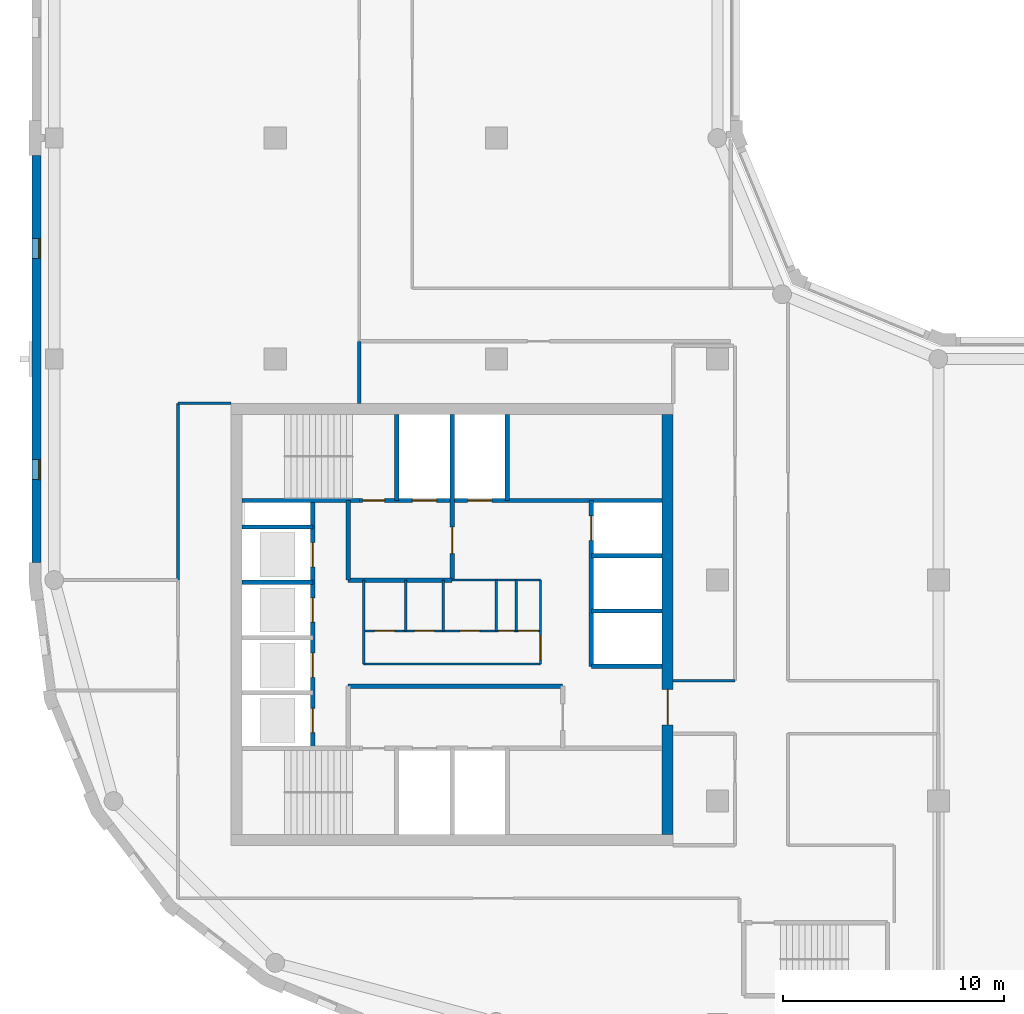
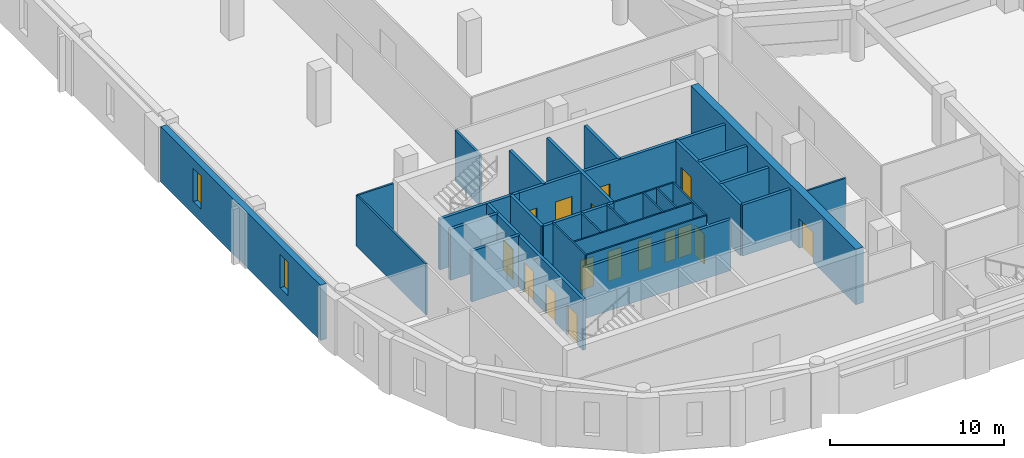
# One storey, part 3 of 8: 30 walls, 16 doors, 2 windows, 18 openings.
"""IFC4 building model written with IfcOpenShell, lengths in metres."""

from ifc_helpers import new_model, si_unit, direction, frame, frame_2d, origin, place, context, subcontext, project, spatial, rectangle, extrude, material, layer, layer_set, type_object, element, fill, save


model = new_model("IFC4")

# Units and contexts
model_context = context("Model", 3, precision=1e-05, world=origin(), true_north=direction((0.0, 1.0)))
body_context = subcontext(model_context, "Body", "Model", "MODEL_VIEW")
ifc_project = project(units=[si_unit("LENGTHUNIT", "METRE"), si_unit("AREAUNIT", "SQUARE_METRE"), si_unit("VOLUMEUNIT", "CUBIC_METRE"), si_unit("PLANEANGLEUNIT", "RADIAN"), si_unit("MASSUNIT", "GRAM", prefix="KILO")], contexts=[model_context])

# Site, building, storey
site_placement = place(None, origin())
site = spatial("IfcSite", under=ifc_project, at=site_placement, CompositionType="ELEMENT")
building_placement = place(site_placement, origin())
building = spatial("IfcBuilding", under=site, at=building_placement, Name="Qaws Garden Tower", CompositionType="ELEMENT")
storey_placement = place(building_placement, frame((0.0, 0.0, 274.800048828125)))
storey = spatial("IfcBuildingStorey", under=building, at=storey_placement, Name="L66", CompositionType="ELEMENT", Elevation=274.800048828125)

# Wall, openings, windows
ifc_material_1 = material(Name="Buff clay facing brick masonry", Category="masonry")
ifc_layer_1 = layer(ifc_material_1, 0.39990234375)
ifc_layer_set_1 = layer_set([ifc_layer_1], Name="Buff clay facing brick masonry")
wall_type_1 = type_object("IfcWallType", Name="Buff brick infill wall 400", PredefinedType="SOLIDWALL", material=ifc_layer_set_1)
wall_1_placement = place(storey_placement, frame((-0.800048828125, 39.199951171875, 0.0), z_axis=(0.0, 0.0, 1.0), x_axis=(0.0, -1.0, 0.0)))
wall_1 = element("IfcWall", 1, at=wall_1_placement, inside=storey, type_object=wall_type_1, Name="E-L66-infill-21", PredefinedType="SOLIDWALL", context=body_context, shape_type="SweptSolid", body=[
    extrude(rectangle(XDim=18.39990234375, YDim=0.39990234375, at=frame_2d((9.199951171875, 0.0))), origin(), (0.0, 0.0, 1.0), 3.89990234375),
])
opening_1_placement = place(wall_1_placement, frame((3.75, 0.0, 0.89990234375)))
opening_1 = element("IfcOpeningElement", 2, at=opening_1_placement, cuts=wall_1, Name="Opening W09", PredefinedType="OPENING", context=body_context, shape_type="SweptSolid", body=[
    extrude(rectangle(XDim=0.89990234375, YDim=2.35009765625, at=frame_2d((0.449951171875, 1.175048828125))), frame((0.0, 0.2099609375, 0.0), z_axis=(0.0, -1.0, 0.0), x_axis=(1.0, 0.0, 0.0)), (0.0, 0.0, 1.0), 0.419921875),
])
opening_2_placement = place(wall_1_placement, frame((13.75, 0.0, 0.89990234375)))
opening_2 = element("IfcOpeningElement", 3, at=opening_2_placement, cuts=wall_1, Name="Opening W09", PredefinedType="OPENING", context=body_context, shape_type="SweptSolid", body=[
    extrude(rectangle(XDim=0.89990234375, YDim=2.35009765625, at=frame_2d((0.449951171875, 1.175048828125))), frame((0.0, 0.2099609375, 0.0), z_axis=(0.0, -1.0, 0.0), x_axis=(1.0, 0.0, 0.0)), (0.0, 0.0, 1.0), 0.419921875),
])
ifc_material_2 = material(Name="Aluminium framed window, clear glazing", Category="aluminium")
window_type = type_object("IfcWindowType", Name="Slit window 900 x 2350", PartitioningType="SINGLE_PANEL", PredefinedType="WINDOW", material=ifc_material_2)
window_1_placement = place(opening_1_placement, origin())
window_1 = element("IfcWindow", 4, at=window_1_placement, inside=storey, type_object=window_type, Name="E-L66-window-21-0", OverallHeight=2.35009765625, OverallWidth=0.89990234375, PartitioningType="SINGLE_PANEL", PredefinedType="WINDOW", context=body_context, shape_type="SweptSolid", body=[
    extrude(rectangle(XDim=0.89990234375, YDim=2.35009765625, at=frame_2d((0.449951171875, 1.175048828125))), frame((0.0, 0.159912109375, 0.0), z_axis=(0.0, -1.0, 0.0), x_axis=(1.0, 0.0, 0.0)), (0.0, 0.0, 1.0), 0.06005859375),
])
fill(opening_1, window_1)
window_2_placement = place(opening_2_placement, origin())
window_2 = element("IfcWindow", 5, at=window_2_placement, inside=storey, type_object=window_type, Name="E-L66-window-22-0", OverallHeight=2.35009765625, OverallWidth=0.89990234375, PartitioningType="SINGLE_PANEL", PredefinedType="WINDOW", context=body_context, shape_type="SweptSolid", body=[
    extrude(rectangle(XDim=0.89990234375, YDim=2.35009765625, at=frame_2d((0.449951171875, 1.175048828125))), frame((0.0, 0.159912109375, 0.0), z_axis=(0.0, -1.0, 0.0), x_axis=(1.0, 0.0, 0.0)), (0.0, 0.0, 1.0), 0.06005859375),
])
fill(opening_2, window_2)

# Wall
ifc_material_3 = material(Name="Plasterboard")
ifc_layer_2 = layer(ifc_material_3, 0.10009765625)
ifc_layer_set_2 = layer_set([ifc_layer_2], Name="Plasterboard")
wall_type_2 = type_object("IfcWallType", Name="Core partition 100", PredefinedType="PARTITIONING", material=ifc_layer_set_2)
wall_2_placement = place(storey_placement, frame((14.0, 16.199951171875, 0.0), z_axis=(0.0, 0.0, 1.0), x_axis=(1.0, 0.0, 0.0)))
element("IfcWall", 6, at=wall_2_placement, inside=storey, type_object=wall_type_2, Name="Core partition", PredefinedType="PARTITIONING", context=body_context, shape_type="SweptSolid", body=[
    extrude(rectangle(XDim=8.0, YDim=0.10009765625, at=frame_2d((4.0, 0.0))), origin(), (0.0, 0.0, 1.0), 3.579833984375),
])

# Wall, openings, doors
wall_3_placement = place(storey_placement, frame((14.0, 17.699951171875, 0.0), z_axis=(0.0, 0.0, 1.0), x_axis=(1.0, 0.0, 0.0)))
wall_3 = element("IfcWall", 7, at=wall_3_placement, inside=storey, type_object=wall_type_2, Name="Core partition", PredefinedType="PARTITIONING", context=body_context, shape_type="SweptSolid", body=[
    extrude(rectangle(XDim=8.0, YDim=0.10009765625, at=frame_2d((4.0, 0.0))), origin(), (0.0, 0.0, 1.0), 3.579833984375),
])
opening_3_placement = place(wall_3_placement, frame((0.5, 0.0, 0.0)))
opening_3 = element("IfcOpeningElement", 8, at=opening_3_placement, cuts=wall_3, Name="Opening WD18", PredefinedType="OPENING", context=body_context, shape_type="SweptSolid", body=[
    extrude(rectangle(XDim=0.89990234375, YDim=2.10009765625, at=frame_2d((0.449951171875, 1.050048828125))), frame((0.0, 0.06005859375, 0.0), z_axis=(0.0, -1.0, 0.0), x_axis=(1.0, 0.0, 0.0)), (0.0, 0.0, 1.0), 0.1201171875),
])
opening_4_placement = place(wall_3_placement, frame((2.300048828125, 0.0, 0.0)))
opening_4 = element("IfcOpeningElement", 9, at=opening_4_placement, cuts=wall_3, Name="Opening WD19", PredefinedType="OPENING", context=body_context, shape_type="SweptSolid", body=[
    extrude(rectangle(XDim=0.89990234375, YDim=2.10009765625, at=frame_2d((0.449951171875, 1.050048828125))), frame((0.0, 0.06005859375, 0.0), z_axis=(0.0, -1.0, 0.0), x_axis=(1.0, 0.0, 0.0)), (0.0, 0.0, 1.0), 0.1201171875),
])
opening_5_placement = place(wall_3_placement, frame((4.35009765625, 0.0, 0.0)))
opening_5 = element("IfcOpeningElement", 10, at=opening_5_placement, cuts=wall_3, Name="Opening WD20", PredefinedType="OPENING", context=body_context, shape_type="SweptSolid", body=[
    extrude(rectangle(XDim=0.89990234375, YDim=2.10009765625, at=frame_2d((0.449951171875, 1.050048828125))), frame((0.0, 0.06005859375, 0.0), z_axis=(0.0, -1.0, 0.0), x_axis=(1.0, 0.0, 0.0)), (0.0, 0.0, 1.0), 0.1201171875),
])
opening_6_placement = place(wall_3_placement, frame((6.10009765625, 0.0, 0.0)))
opening_6 = element("IfcOpeningElement", 11, at=opening_6_placement, cuts=wall_3, Name="Opening XD21", PredefinedType="OPENING", context=body_context, shape_type="SweptSolid", body=[
    extrude(rectangle(XDim=0.699951171875, YDim=2.10009765625, at=frame_2d((0.35009765625, 1.050048828125))), frame((0.0, 0.06005859375, 0.0), z_axis=(0.0, -1.0, 0.0), x_axis=(1.0, 0.0, 0.0)), (0.0, 0.0, 1.0), 0.1201171875),
])
opening_7_placement = place(wall_3_placement, frame((7.0, 0.0, 0.0)))
opening_7 = element("IfcOpeningElement", 12, at=opening_7_placement, cuts=wall_3, Name="Opening WD22", PredefinedType="OPENING", context=body_context, shape_type="SweptSolid", body=[
    extrude(rectangle(XDim=0.89990234375, YDim=2.10009765625, at=frame_2d((0.449951171875, 1.050048828125))), frame((0.0, 0.06005859375, 0.0), z_axis=(0.0, -1.0, 0.0), x_axis=(1.0, 0.0, 0.0)), (0.0, 0.0, 1.0), 0.1201171875),
])
ifc_material_4 = material(Name="Timber", Category="wood")
door_type_1 = type_object("IfcDoorType", Name="Store door 700x2100", OperationType="SINGLE_SWING_LEFT", PredefinedType="DOOR", material=ifc_material_4)
door_1_placement = place(opening_6_placement, origin())
door_1 = element("IfcDoor", 13, at=door_1_placement, inside=storey, type_object=door_type_1, Name="Cleaner's store door", OperationType="SINGLE_SWING_RIGHT", OverallHeight=2.10009765625, OverallWidth=0.699951171875, PredefinedType="DOOR", context=body_context, shape_type="SweptSolid", body=[
    extrude(rectangle(XDim=0.699951171875, YDim=2.10009765625, at=frame_2d((0.35009765625, 1.050048828125))), frame((0.0, 0.02490234375, 0.0), z_axis=(0.0, -1.0, 0.0), x_axis=(1.0, 0.0, 0.0)), (0.0, 0.0, 1.0), 0.050048828125),
])
fill(opening_6, door_1)
ifc_material_5 = material(Name="Timber", Category="wood")
door_type_2 = type_object("IfcDoorType", Name="WC door 900x2100", OperationType="SINGLE_SWING_LEFT", PredefinedType="DOOR", material=ifc_material_5)
door_2_placement = place(opening_3_placement, origin())
door_2 = element("IfcDoor", 14, at=door_2_placement, inside=storey, type_object=door_type_2, Name="Men's WC door", OperationType="SINGLE_SWING_RIGHT", OverallHeight=2.10009765625, OverallWidth=0.89990234375, PredefinedType="DOOR", context=body_context, shape_type="SweptSolid", body=[
    extrude(rectangle(XDim=0.89990234375, YDim=2.10009765625, at=frame_2d((0.449951171875, 1.050048828125))), frame((0.0, 0.02490234375, 0.0), z_axis=(0.0, -1.0, 0.0), x_axis=(1.0, 0.0, 0.0)), (0.0, 0.0, 1.0), 0.050048828125),
])
fill(opening_3, door_2)
door_3_placement = place(opening_4_placement, origin())
door_3 = element("IfcDoor", 15, at=door_3_placement, inside=storey, type_object=door_type_2, Name="Accessible WC door", OperationType="SINGLE_SWING_RIGHT", OverallHeight=2.10009765625, OverallWidth=0.89990234375, PredefinedType="DOOR", context=body_context, shape_type="SweptSolid", body=[
    extrude(rectangle(XDim=0.89990234375, YDim=2.10009765625, at=frame_2d((0.449951171875, 1.050048828125))), frame((0.0, 0.02490234375, 0.0), z_axis=(0.0, -1.0, 0.0), x_axis=(1.0, 0.0, 0.0)), (0.0, 0.0, 1.0), 0.050048828125),
])
fill(opening_4, door_3)
door_4_placement = place(opening_5_placement, origin())
door_4 = element("IfcDoor", 16, at=door_4_placement, inside=storey, type_object=door_type_2, Name="Women's WC door", OperationType="SINGLE_SWING_RIGHT", OverallHeight=2.10009765625, OverallWidth=0.89990234375, PredefinedType="DOOR", context=body_context, shape_type="SweptSolid", body=[
    extrude(rectangle(XDim=0.89990234375, YDim=2.10009765625, at=frame_2d((0.449951171875, 1.050048828125))), frame((0.0, 0.02490234375, 0.0), z_axis=(0.0, -1.0, 0.0), x_axis=(1.0, 0.0, 0.0)), (0.0, 0.0, 1.0), 0.050048828125),
])
fill(opening_5, door_4)
door_5_placement = place(opening_7_placement, origin())
door_5 = element("IfcDoor", 17, at=door_5_placement, inside=storey, type_object=door_type_2, Name="Linen store door", OperationType="SINGLE_SWING_RIGHT", OverallHeight=2.10009765625, OverallWidth=0.89990234375, PredefinedType="DOOR", context=body_context, shape_type="SweptSolid", body=[
    extrude(rectangle(XDim=0.89990234375, YDim=2.10009765625, at=frame_2d((0.449951171875, 1.050048828125))), frame((0.0, 0.02490234375, 0.0), z_axis=(0.0, -1.0, 0.0), x_axis=(1.0, 0.0, 0.0)), (0.0, 0.0, 1.0), 0.050048828125),
])
fill(opening_7, door_5)

# Walls
wall_4_placement = place(storey_placement, frame((18.0, 20.0, 0.0), z_axis=(0.0, 0.0, 1.0), x_axis=(1.0, 0.0, 0.0)))
element("IfcWall", 18, at=wall_4_placement, inside=storey, type_object=wall_type_2, Name="Core partition", PredefinedType="PARTITIONING", context=body_context, shape_type="SweptSolid", body=[
    extrude(rectangle(XDim=4.0, YDim=0.10009765625, at=frame_2d((2.0, 0.0))), origin(), (0.0, 0.0, 1.0), 3.579833984375),
])
wall_5_placement = place(storey_placement, frame((14.0, 16.199951171875, 0.0), z_axis=(0.0, 0.0, 1.0), x_axis=(0.0, 1.0, 0.0)))
element("IfcWall", 19, at=wall_5_placement, inside=storey, type_object=wall_type_2, Name="Core partition", PredefinedType="PARTITIONING", context=body_context, shape_type="SweptSolid", body=[
    extrude(rectangle(XDim=3.800048828125, YDim=0.10009765625, at=frame_2d((1.89990234375, 0.0))), origin(), (0.0, 0.0, 1.0), 3.579833984375),
])
for number, where, z_axis, x_axis, name in (
    (20, (15.89990234375, 17.699951171875, 0.0), (0.0, 0.0, 1.0), (0.0, 1.0, 0.0), "Core partition"),
    (21, (17.60009765625, 17.699951171875, 0.0), (0.0, 0.0, 1.0), (0.0, 1.0, 0.0), "Core partition"),
    (22, (20.0, 17.699951171875, 0.0), (0.0, 0.0, 1.0), (0.0, 1.0, 0.0), "Core partition"),
    (23, (20.89990234375, 17.699951171875, 0.0), (0.0, 0.0, 1.0), (0.0, 1.0, 0.0), "Core partition"),
):
    element("IfcWall", number, at=place(storey_placement, frame(where, z_axis=z_axis, x_axis=x_axis)), inside=storey, type_object=wall_type_2, Name=name, PredefinedType="PARTITIONING", context=body_context, shape_type="SweptSolid", body=[
        extrude(rectangle(XDim=2.300048828125, YDim=0.10009765625, at=frame_2d((1.14990234375, 0.0))), origin(), (0.0, 0.0, 1.0), 3.579833984375),
    ])

# Wall, opening, door
wall_6_placement = place(storey_placement, frame((22.0, 16.199951171875, 0.0), z_axis=(0.0, 0.0, 1.0), x_axis=(0.0, 1.0, 0.0)))
wall_6 = element("IfcWall", 24, at=wall_6_placement, inside=storey, type_object=wall_type_2, Name="Core partition", PredefinedType="PARTITIONING", context=body_context, shape_type="SweptSolid", body=[
    extrude(rectangle(XDim=3.800048828125, YDim=0.10009765625, at=frame_2d((1.89990234375, 0.0))), origin(), (0.0, 0.0, 1.0), 3.579833984375),
])
opening_8_placement = place(wall_6_placement, frame((0.199951171875, 0.0, 0.0)))
opening_8 = element("IfcOpeningElement", 25, at=opening_8_placement, cuts=wall_6, Name="Opening WL17", PredefinedType="OPENING", context=body_context, shape_type="SweptSolid", body=[
    extrude(rectangle(XDim=1.10009765625, YDim=2.10009765625, at=frame_2d((0.550048828125, 1.050048828125))), frame((0.0, 0.06005859375, 0.0), z_axis=(0.0, -1.0, 0.0), x_axis=(1.0, 0.0, 0.0)), (0.0, 0.0, 1.0), 0.1201171875),
])
ifc_material_6 = material(Name="Timber", Category="wood")
door_type_3 = type_object("IfcDoorType", Name="WC lobby door 1100x2100", OperationType="SINGLE_SWING_LEFT", PredefinedType="DOOR", material=ifc_material_6)
door_6_placement = place(opening_8_placement, origin())
door_6 = element("IfcDoor", 26, at=door_6_placement, inside=storey, type_object=door_type_3, Name="WC lobby door", OperationType="SINGLE_SWING_RIGHT", OverallHeight=2.10009765625, OverallWidth=1.10009765625, PredefinedType="DOOR", context=body_context, shape_type="SweptSolid", body=[
    extrude(rectangle(XDim=1.10009765625, YDim=2.10009765625, at=frame_2d((0.550048828125, 1.050048828125))), frame((0.0, 0.02490234375, 0.0), z_axis=(0.0, -1.0, 0.0), x_axis=(1.0, 0.0, 0.0)), (0.0, 0.0, 1.0), 0.050048828125),
])
fill(opening_8, door_6)

# Walls
ifc_material_7 = material(Name="Concrete C60", Category="concrete")
ifc_layer_3 = layer(ifc_material_7, 0.199951171875)
ifc_layer_set_3 = layer_set([ifc_layer_3], Name="Concrete C60")
wall_type_3 = type_object("IfcWallType", Name="Core shaft wall 200 C60", PredefinedType="SHEAR", material=ifc_layer_set_3)
wall_7_placement = place(storey_placement, frame((13.300048828125, 15.199951171875, 0.0), z_axis=(0.0, 0.0, 1.0), x_axis=(1.0, 0.0, 0.0)))
element("IfcWall", 27, at=wall_7_placement, inside=storey, type_object=wall_type_3, Name="Shaft wall", PredefinedType="SHEAR", context=body_context, shape_type="SweptSolid", body=[
    extrude(rectangle(XDim=9.699951171875, YDim=0.199951171875, at=frame_2d((4.85009765625, 0.0))), origin(), (0.0, 0.0, 1.0), 3.579833984375),
])
for number, where, z_axis, x_axis, name in (
    (28, (24.300048828125, 16.10009765625, 0.0), (0.0, 0.0, 1.0), (1.0, 0.0, 0.0), "Shaft wall"),
    (29, (24.300048828125, 18.60009765625, 0.0), (0.0, 0.0, 1.0), (1.0, 0.0, 0.0), "Shaft wall"),
    (30, (8.5, 19.89990234375, 0.0), (0.0, 0.0, 1.0), (1.0, 0.0, 0.0), "Shaft wall"),
):
    element("IfcWall", number, at=place(storey_placement, frame(where, z_axis=z_axis, x_axis=x_axis)), inside=storey, type_object=wall_type_3, Name=name, PredefinedType="SHEAR", context=body_context, shape_type="SweptSolid", body=[
        extrude(rectangle(XDim=3.199951171875, YDim=0.199951171875, at=frame_2d((1.60009765625, 0.0))), origin(), (0.0, 0.0, 1.0), 3.579833984375),
    ])
wall_8_placement = place(storey_placement, frame((13.300048828125, 20.0, 0.0), z_axis=(0.0, 0.0, 1.0), x_axis=(1.0, 0.0, 0.0)))
element("IfcWall", 31, at=wall_8_placement, inside=storey, type_object=wall_type_3, Name="Shaft wall", PredefinedType="SHEAR", context=body_context, shape_type="SweptSolid", body=[
    extrude(rectangle(XDim=4.699951171875, YDim=0.199951171875, at=frame_2d((2.35009765625, 0.0))), origin(), (0.0, 0.0, 1.0), 3.579833984375),
])
for number, where, z_axis, x_axis, name in (
    (32, (24.300048828125, 21.10009765625, 0.0), (0.0, 0.0, 1.0), (1.0, 0.0, 0.0), "Shaft wall"),
    (33, (8.5, 22.39990234375, 0.0), (0.0, 0.0, 1.0), (1.0, 0.0, 0.0), "Shaft wall"),
):
    element("IfcWall", number, at=place(storey_placement, frame(where, z_axis=z_axis, x_axis=x_axis)), inside=storey, type_object=wall_type_3, Name=name, PredefinedType="SHEAR", context=body_context, shape_type="SweptSolid", body=[
        extrude(rectangle(XDim=3.199951171875, YDim=0.199951171875, at=frame_2d((1.60009765625, 0.0))), origin(), (0.0, 0.0, 1.0), 3.579833984375),
    ])
wall_9_placement = place(storey_placement, frame((8.5, 23.60009765625, 0.0), z_axis=(0.0, 0.0, 1.0), x_axis=(1.0, 0.0, 0.0)))
element("IfcWall", 34, at=wall_9_placement, inside=storey, type_object=wall_type_3, Name="Shaft wall", PredefinedType="SHEAR", context=body_context, shape_type="SweptSolid", body=[
    extrude(rectangle(XDim=5.300048828125, YDim=0.199951171875, at=frame_2d((2.64990234375, 0.0))), origin(), (0.0, 0.0, 1.0), 3.579833984375),
])

# Wall, openings, doors
wall_10_placement = place(storey_placement, frame((13.800048828125, 23.60009765625, 0.0), z_axis=(0.0, 0.0, 1.0), x_axis=(1.0, 0.0, 0.0)))
wall_10 = element("IfcWall", 35, at=wall_10_placement, inside=storey, type_object=wall_type_3, Name="Shaft wall", PredefinedType="SHEAR", context=body_context, shape_type="SweptSolid", body=[
    extrude(rectangle(XDim=13.699951171875, YDim=0.199951171875, at=frame_2d((6.85009765625, 0.0))), origin(), (0.0, 0.0, 1.0), 3.579833984375),
])
opening_9_placement = place(wall_10_placement, frame((2.39990234375, 0.0, 0.0)))
opening_9 = element("IfcOpeningElement", 36, at=opening_9_placement, cuts=wall_10, Name="Opening LD08", PredefinedType="OPENING", context=body_context, shape_type="SweptSolid", body=[
    extrude(rectangle(XDim=1.10009765625, YDim=2.10009765625, at=frame_2d((0.550048828125, 1.050048828125))), frame((0.0, 0.10986328125, 0.0), z_axis=(0.0, -1.0, 0.0), x_axis=(1.0, 0.0, 0.0)), (0.0, 0.0, 1.0), 0.219970703125),
])
opening_10_placement = place(wall_10_placement, frame((4.89990234375, 0.0, 0.0)))
opening_10 = element("IfcOpeningElement", 37, at=opening_10_placement, cuts=wall_10, Name="Opening LD09", PredefinedType="OPENING", context=body_context, shape_type="SweptSolid", body=[
    extrude(rectangle(XDim=1.10009765625, YDim=2.10009765625, at=frame_2d((0.550048828125, 1.050048828125))), frame((0.0, 0.10986328125, 0.0), z_axis=(0.0, -1.0, 0.0), x_axis=(1.0, 0.0, 0.0)), (0.0, 0.0, 1.0), 0.219970703125),
])
opening_11_placement = place(wall_10_placement, frame((0.14990234375, 0.0, 0.0)))
opening_11 = element("IfcOpeningElement", 38, at=opening_11_placement, cuts=wall_10, Name="Opening SD11", PredefinedType="OPENING", context=body_context, shape_type="SweptSolid", body=[
    extrude(rectangle(XDim=1.0, YDim=2.10009765625, at=frame_2d((0.5, 1.050048828125))), frame((0.0, 0.10986328125, 0.0), z_axis=(0.0, -1.0, 0.0), x_axis=(1.0, 0.0, 0.0)), (0.0, 0.0, 1.0), 0.219970703125),
])
ifc_material_8 = material(Name="Steel S235", Category="steel")
door_type_4 = type_object("IfcDoorType", Name="Landing door 1100x2100", OperationType="DOUBLE_DOOR_SLIDING", PredefinedType="DOOR", material=ifc_material_8)
door_7_placement = place(opening_9_placement, origin())
door_7 = element("IfcDoor", 39, at=door_7_placement, inside=storey, type_object=door_type_4, Name="Lift FF3 landing door", OperationType="DOUBLE_DOOR_SLIDING", OverallHeight=2.10009765625, OverallWidth=1.10009765625, PredefinedType="DOOR", context=body_context, shape_type="SweptSolid", body=[
    extrude(rectangle(XDim=1.10009765625, YDim=2.10009765625, at=frame_2d((0.550048828125, 1.050048828125))), frame((0.0, 0.02490234375, 0.0), z_axis=(0.0, -1.0, 0.0), x_axis=(1.0, 0.0, 0.0)), (0.0, 0.0, 1.0), 0.050048828125),
])
fill(opening_9, door_7)
door_8_placement = place(opening_10_placement, origin())
door_8 = element("IfcDoor", 40, at=door_8_placement, inside=storey, type_object=door_type_4, Name="Lift SV2 landing door", OperationType="DOUBLE_DOOR_SLIDING", OverallHeight=2.10009765625, OverallWidth=1.10009765625, PredefinedType="DOOR", context=body_context, shape_type="SweptSolid", body=[
    extrude(rectangle(XDim=1.10009765625, YDim=2.10009765625, at=frame_2d((0.550048828125, 1.050048828125))), frame((0.0, 0.02490234375, 0.0), z_axis=(0.0, -1.0, 0.0), x_axis=(1.0, 0.0, 0.0)), (0.0, 0.0, 1.0), 0.050048828125),
])
fill(opening_10, door_8)
ifc_material_9 = material(Name="Steel S235", Category="steel")
door_type_5 = type_object("IfcDoorType", Name="Stair door 1000x2100", OperationType="SINGLE_SWING_RIGHT", PredefinedType="DOOR", material=ifc_material_9)
door_9_placement = place(opening_11_placement, origin())
door_9 = element("IfcDoor", 41, at=door_9_placement, inside=storey, type_object=door_type_5, Name="Stair 4 door", OperationType="SINGLE_SWING_RIGHT", OverallHeight=2.10009765625, OverallWidth=1.0, PredefinedType="DOOR", context=body_context, shape_type="SweptSolid", body=[
    extrude(rectangle(XDim=1.0, YDim=2.10009765625, at=frame_2d((0.5, 1.050048828125))), frame((0.0, 0.02490234375, 0.0), z_axis=(0.0, -1.0, 0.0), x_axis=(1.0, 0.0, 0.0)), (0.0, 0.0, 1.0), 0.050048828125),
])
fill(opening_11, door_9)

wall_11_placement = place(storey_placement, frame((11.699951171875, 12.39990234375, 0.0), z_axis=(0.0, 0.0, 1.0), x_axis=(0.0, 1.0, 0.0)))
wall_11 = element("IfcWall", 42, at=wall_11_placement, inside=storey, type_object=wall_type_3, Name="Shaft wall", PredefinedType="SHEAR", context=body_context, shape_type="SweptSolid", body=[
    extrude(rectangle(XDim=11.2001953125, YDim=0.199951171875, at=frame_2d((5.60009765625, 0.0))), origin(), (0.0, 0.0, 1.0), 3.579833984375),
])
opening_12_placement = place(wall_11_placement, frame((0.699951171875, 0.0, 0.0)))
opening_12 = element("IfcOpeningElement", 43, at=opening_12_placement, cuts=wall_11, Name="Opening LD01", PredefinedType="OPENING", context=body_context, shape_type="SweptSolid", body=[
    extrude(rectangle(XDim=1.10009765625, YDim=2.10009765625, at=frame_2d((0.550048828125, 1.050048828125))), frame((0.0, 0.10986328125, 0.0), z_axis=(0.0, -1.0, 0.0), x_axis=(1.0, 0.0, 0.0)), (0.0, 0.0, 1.0), 0.219970703125),
])
opening_13_placement = place(wall_11_placement, frame((3.199951171875, 0.0, 0.0)))
opening_13 = element("IfcOpeningElement", 44, at=opening_13_placement, cuts=wall_11, Name="Opening LD02", PredefinedType="OPENING", context=body_context, shape_type="SweptSolid", body=[
    extrude(rectangle(XDim=1.10009765625, YDim=2.10009765625, at=frame_2d((0.550048828125, 1.050048828125))), frame((0.0, 0.10986328125, 0.0), z_axis=(0.0, -1.0, 0.0), x_axis=(1.0, 0.0, 0.0)), (0.0, 0.0, 1.0), 0.219970703125),
])
opening_14_placement = place(wall_11_placement, frame((5.699951171875, 0.0, 0.0)))
opening_14 = element("IfcOpeningElement", 45, at=opening_14_placement, cuts=wall_11, Name="Opening LD03", PredefinedType="OPENING", context=body_context, shape_type="SweptSolid", body=[
    extrude(rectangle(XDim=1.10009765625, YDim=2.10009765625, at=frame_2d((0.550048828125, 1.050048828125))), frame((0.0, 0.10986328125, 0.0), z_axis=(0.0, -1.0, 0.0), x_axis=(1.0, 0.0, 0.0)), (0.0, 0.0, 1.0), 0.219970703125),
])
opening_15_placement = place(wall_11_placement, frame((8.199951171875, 0.0, 0.0)))
opening_15 = element("IfcOpeningElement", 46, at=opening_15_placement, cuts=wall_11, Name="Opening LD04", PredefinedType="OPENING", context=body_context, shape_type="SweptSolid", body=[
    extrude(rectangle(XDim=1.10009765625, YDim=2.10009765625, at=frame_2d((0.550048828125, 1.050048828125))), frame((0.0, 0.10986328125, 0.0), z_axis=(0.0, -1.0, 0.0), x_axis=(1.0, 0.0, 0.0)), (0.0, 0.0, 1.0), 0.219970703125),
])
door_10_placement = place(opening_12_placement, origin())
door_10 = element("IfcDoor", 47, at=door_10_placement, inside=storey, type_object=door_type_4, Name="Lift W1 landing door", OperationType="DOUBLE_DOOR_SLIDING", OverallHeight=2.10009765625, OverallWidth=1.10009765625, PredefinedType="DOOR", context=body_context, shape_type="SweptSolid", body=[
    extrude(rectangle(XDim=1.10009765625, YDim=2.10009765625, at=frame_2d((0.550048828125, 1.050048828125))), frame((0.0, 0.02490234375, 0.0), z_axis=(0.0, -1.0, 0.0), x_axis=(1.0, 0.0, 0.0)), (0.0, 0.0, 1.0), 0.050048828125),
])
fill(opening_12, door_10)
door_11_placement = place(opening_13_placement, origin())
door_11 = element("IfcDoor", 48, at=door_11_placement, inside=storey, type_object=door_type_4, Name="Lift W2 landing door", OperationType="DOUBLE_DOOR_SLIDING", OverallHeight=2.10009765625, OverallWidth=1.10009765625, PredefinedType="DOOR", context=body_context, shape_type="SweptSolid", body=[
    extrude(rectangle(XDim=1.10009765625, YDim=2.10009765625, at=frame_2d((0.550048828125, 1.050048828125))), frame((0.0, 0.02490234375, 0.0), z_axis=(0.0, -1.0, 0.0), x_axis=(1.0, 0.0, 0.0)), (0.0, 0.0, 1.0), 0.050048828125),
])
fill(opening_13, door_11)
door_12_placement = place(opening_14_placement, origin())
door_12 = element("IfcDoor", 49, at=door_12_placement, inside=storey, type_object=door_type_4, Name="Lift W3 landing door", OperationType="DOUBLE_DOOR_SLIDING", OverallHeight=2.10009765625, OverallWidth=1.10009765625, PredefinedType="DOOR", context=body_context, shape_type="SweptSolid", body=[
    extrude(rectangle(XDim=1.10009765625, YDim=2.10009765625, at=frame_2d((0.550048828125, 1.050048828125))), frame((0.0, 0.02490234375, 0.0), z_axis=(0.0, -1.0, 0.0), x_axis=(1.0, 0.0, 0.0)), (0.0, 0.0, 1.0), 0.050048828125),
])
fill(opening_14, door_12)
door_13_placement = place(opening_15_placement, origin())
door_13 = element("IfcDoor", 50, at=door_13_placement, inside=storey, type_object=door_type_4, Name="Lift W4 landing door", OperationType="DOUBLE_DOOR_SLIDING", OverallHeight=2.10009765625, OverallWidth=1.10009765625, PredefinedType="DOOR", context=body_context, shape_type="SweptSolid", body=[
    extrude(rectangle(XDim=1.10009765625, YDim=2.10009765625, at=frame_2d((0.550048828125, 1.050048828125))), frame((0.0, 0.02490234375, 0.0), z_axis=(0.0, -1.0, 0.0), x_axis=(1.0, 0.0, 0.0)), (0.0, 0.0, 1.0), 0.050048828125),
])
fill(opening_15, door_13)

# Walls
wall_12_placement = place(storey_placement, frame((13.300048828125, 20.0, 0.0), z_axis=(0.0, 0.0, 1.0), x_axis=(0.0, 1.0, 0.0)))
element("IfcWall", 51, at=wall_12_placement, inside=storey, type_object=wall_type_3, Name="Shaft wall", PredefinedType="SHEAR", context=body_context, shape_type="SweptSolid", body=[
    extrude(rectangle(XDim=3.60009765625, YDim=0.199951171875, at=frame_2d((1.800048828125, 0.0))), origin(), (0.0, 0.0, 1.0), 3.579833984375),
])
wall_13_placement = place(storey_placement, frame((15.5, 23.60009765625, 0.0), z_axis=(0.0, 0.0, 1.0), x_axis=(0.0, 1.0, 0.0)))
element("IfcWall", 52, at=wall_13_placement, inside=storey, type_object=wall_type_3, Name="Shaft wall", PredefinedType="SHEAR", context=body_context, shape_type="SweptSolid", body=[
    extrude(rectangle(XDim=3.89990234375, YDim=0.199951171875, at=frame_2d((1.949951171875, 0.0))), origin(), (0.0, 0.0, 1.0), 3.579833984375),
])

# Wall, opening, door
wall_14_placement = place(storey_placement, frame((18.0, 20.0, 0.0), z_axis=(0.0, 0.0, 1.0), x_axis=(0.0, 1.0, 0.0)))
wall_14 = element("IfcWall", 53, at=wall_14_placement, inside=storey, type_object=wall_type_3, Name="Shaft wall", PredefinedType="SHEAR", context=body_context, shape_type="SweptSolid", body=[
    extrude(rectangle(XDim=7.5, YDim=0.199951171875, at=frame_2d((3.75, 0.0))), origin(), (0.0, 0.0, 1.0), 3.579833984375),
])
opening_16_placement = place(wall_14_placement, frame((1.199951171875, 0.0, 0.0)))
opening_16 = element("IfcOpeningElement", 54, at=opening_16_placement, cuts=wall_14, Name="Opening FD16", PredefinedType="OPENING", context=body_context, shape_type="SweptSolid", body=[
    extrude(rectangle(XDim=1.199951171875, YDim=2.10009765625, at=frame_2d((0.60009765625, 1.050048828125))), frame((0.0, 0.10986328125, 0.0), z_axis=(0.0, -1.0, 0.0), x_axis=(1.0, 0.0, 0.0)), (0.0, 0.0, 1.0), 0.219970703125),
])
ifc_material_10 = material(Name="Steel S235", Category="steel")
door_type_6 = type_object("IfcDoorType", Name="Lobby door 1200x2100", OperationType="DOUBLE_DOOR_SINGLE_SWING", PredefinedType="DOOR", material=ifc_material_10)
door_14_placement = place(opening_16_placement, origin())
door_14 = element("IfcDoor", 55, at=door_14_placement, inside=storey, type_object=door_type_6, Name="Fire-fighting lobby door", OperationType="DOUBLE_DOOR_SINGLE_SWING", OverallHeight=2.10009765625, OverallWidth=1.199951171875, PredefinedType="DOOR", context=body_context, shape_type="SweptSolid", body=[
    extrude(rectangle(XDim=1.199951171875, YDim=2.10009765625, at=frame_2d((0.60009765625, 1.050048828125))), frame((0.0, 0.02490234375, 0.0), z_axis=(0.0, -1.0, 0.0), x_axis=(1.0, 0.0, 0.0)), (0.0, 0.0, 1.0), 0.050048828125),
])
fill(opening_16, door_14)

# Wall
wall_15_placement = place(storey_placement, frame((20.5, 23.60009765625, 0.0), z_axis=(0.0, 0.0, 1.0), x_axis=(0.0, 1.0, 0.0)))
element("IfcWall", 56, at=wall_15_placement, inside=storey, type_object=wall_type_3, Name="Shaft wall", PredefinedType="SHEAR", context=body_context, shape_type="SweptSolid", body=[
    extrude(rectangle(XDim=3.89990234375, YDim=0.199951171875, at=frame_2d((1.949951171875, 0.0))), origin(), (0.0, 0.0, 1.0), 3.579833984375),
])

# Wall, opening, door
wall_16_placement = place(storey_placement, frame((24.300048828125, 16.10009765625, 0.0), z_axis=(0.0, 0.0, 1.0), x_axis=(0.0, 1.0, 0.0)))
wall_16 = element("IfcWall", 57, at=wall_16_placement, inside=storey, type_object=wall_type_3, Name="Shaft wall", PredefinedType="SHEAR", context=body_context, shape_type="SweptSolid", body=[
    extrude(rectangle(XDim=7.5, YDim=0.199951171875, at=frame_2d((3.75, 0.0))), origin(), (0.0, 0.0, 1.0), 3.579833984375),
])
opening_17_placement = place(wall_16_placement, frame((5.699951171875, 0.0, 0.0)))
opening_17 = element("IfcOpeningElement", 58, at=opening_17_placement, cuts=wall_16, Name="Opening LD05", PredefinedType="OPENING", context=body_context, shape_type="SweptSolid", body=[
    extrude(rectangle(XDim=1.10009765625, YDim=2.10009765625, at=frame_2d((0.550048828125, 1.050048828125))), frame((0.0, 0.10986328125, 0.0), z_axis=(0.0, -1.0, 0.0), x_axis=(1.0, 0.0, 0.0)), (0.0, 0.0, 1.0), 0.219970703125),
])
door_15_placement = place(opening_17_placement, origin())
door_15 = element("IfcDoor", 59, at=door_15_placement, inside=storey, type_object=door_type_4, Name="Lift E3 landing door", OperationType="DOUBLE_DOOR_SLIDING", OverallHeight=2.10009765625, OverallWidth=1.10009765625, PredefinedType="DOOR", context=body_context, shape_type="SweptSolid", body=[
    extrude(rectangle(XDim=1.10009765625, YDim=2.10009765625, at=frame_2d((0.550048828125, 1.050048828125))), frame((0.0, 0.02490234375, 0.0), z_axis=(0.0, -1.0, 0.0), x_axis=(1.0, 0.0, 0.0)), (0.0, 0.0, 1.0), 0.050048828125),
])
fill(opening_17, door_15)

ifc_material_11 = material(Name="Concrete C60", Category="concrete")
ifc_layer_4 = layer(ifc_material_11, 0.5)
ifc_layer_set_4 = layer_set([ifc_layer_4], Name="Concrete C60")
wall_type_4 = type_object("IfcWallType", Name="Core wall 500 C60", PredefinedType="SHEAR", material=ifc_layer_set_4)
wall_17_placement = place(storey_placement, frame((27.75, 8.5, 0.0), z_axis=(0.0, 0.0, 1.0), x_axis=(0.0, 1.0, 0.0)))
wall_17 = element("IfcWall", 60, at=wall_17_placement, inside=storey, type_object=wall_type_4, Name="Core wall L66 east", PredefinedType="SHEAR", context=body_context, shape_type="SweptSolid", body=[
    extrude(rectangle(XDim=19.0, YDim=0.5, at=frame_2d((9.5, 0.0))), origin(), (0.0, 0.0, 1.0), 3.89990234375),
])
opening_18_placement = place(wall_17_placement, frame((4.949951171875, 0.0, 0.0)))
opening_18 = element("IfcOpeningElement", 61, at=opening_18_placement, cuts=wall_17, Name="Opening ED23", PredefinedType="OPENING", context=body_context, shape_type="SweptSolid", body=[
    extrude(rectangle(XDim=1.60009765625, YDim=2.10009765625, at=frame_2d((0.800048828125, 1.050048828125))), frame((0.0, 0.260009765625, 0.0), z_axis=(0.0, -1.0, 0.0), x_axis=(1.0, 0.0, 0.0)), (0.0, 0.0, 1.0), 0.52001953125),
])
ifc_material_12 = material(Name="Steel S235", Category="steel")
door_type_7 = type_object("IfcDoorType", Name="Core entrance door 1600x2100", OperationType="DOUBLE_DOOR_SINGLE_SWING", PredefinedType="DOOR", material=ifc_material_12)
door_16_placement = place(opening_18_placement, origin())
door_16 = element("IfcDoor", 62, at=door_16_placement, inside=storey, type_object=door_type_7, Name="Core entrance door", OperationType="DOUBLE_DOOR_SINGLE_SWING", OverallHeight=2.10009765625, OverallWidth=1.60009765625, PredefinedType="DOOR", context=body_context, shape_type="SweptSolid", body=[
    extrude(rectangle(XDim=1.60009765625, YDim=2.10009765625, at=frame_2d((0.800048828125, 1.050048828125))), frame((0.0, 0.02490234375, 0.0), z_axis=(0.0, -1.0, 0.0), x_axis=(1.0, 0.0, 0.0)), (0.0, 0.0, 1.0), 0.050048828125),
])
fill(opening_18, door_16)

# Walls
ifc_material_13 = material(Name="Glass and aluminium framing", Category="aluminium")
ifc_layer_5 = layer(ifc_material_13, 0.1201171875)
ifc_layer_set_5 = layer_set([ifc_layer_5], Name="Glass and aluminium framing")
wall_type_5 = type_object("IfcWallType", Name="GLAZED PARTITION 120 EI 30", PredefinedType="PARTITIONING", material=ifc_layer_set_5)
wall_18_placement = place(storey_placement, frame((5.60009765625, 20.0, 0.0), z_axis=(0.0, 0.0, 1.0), x_axis=(0.0, 1.0, 0.0)))
element("IfcWall", 63, at=wall_18_placement, inside=storey, type_object=wall_type_5, Name="O-L66-wall-019", PredefinedType="PARTITIONING", context=body_context, shape_type="SweptSolid", body=[
    extrude(rectangle(XDim=8.0, YDim=0.1201171875, at=frame_2d((4.0, 0.0))), origin(), (0.0, 0.0, 1.0), 3.579833984375),
])
wall_19_placement = place(storey_placement, frame((28.0, 15.449951171875, 0.0), z_axis=(0.0, 0.0, 1.0), x_axis=(1.0, 0.0, 0.0)))
element("IfcWall", 64, at=wall_19_placement, inside=storey, type_object=wall_type_5, Name="O-L66-wall-034", PredefinedType="PARTITIONING", context=body_context, shape_type="SweptSolid", body=[
    extrude(rectangle(XDim=2.800048828125, YDim=0.1201171875, at=frame_2d((1.39990234375, 0.0))), origin(), (0.0, 0.0, 1.0), 3.579833984375),
])
wall_20_placement = place(storey_placement, frame((5.60009765625, 28.0, 0.0), z_axis=(0.0, 0.0, 1.0), x_axis=(1.0, 0.0, 0.0)))
element("IfcWall", 65, at=wall_20_placement, inside=storey, type_object=wall_type_5, Name="O-L66-wall-036", PredefinedType="PARTITIONING", context=body_context, shape_type="SweptSolid", body=[
    extrude(rectangle(XDim=2.39990234375, YDim=0.1201171875, at=frame_2d((1.199951171875, 0.0))), origin(), (0.0, 0.0, 1.0), 3.579833984375),
])
ifc_material_14 = material(Name="Gypsum board partition")
ifc_layer_6 = layer(ifc_material_14, 0.14990234375)
ifc_layer_set_6 = layer_set([ifc_layer_6], Name="Gypsum board partition")
wall_type_6 = type_object("IfcWallType", Name="PARTITION 150 EI 60", PredefinedType="PARTITIONING", material=ifc_layer_set_6)
wall_21_placement = place(storey_placement, frame((13.800048828125, 28.0, 0.0), z_axis=(0.0, 0.0, 1.0), x_axis=(0.0, 1.0, 0.0)))
element("IfcWall", 66, at=wall_21_placement, inside=storey, type_object=wall_type_6, Name="O-L66-wall-003", PredefinedType="PARTITIONING", context=body_context, shape_type="SweptSolid", body=[
    extrude(rectangle(XDim=2.801025390625, YDim=0.14990234375, at=frame_2d((1.400390625, 0.0))), origin(), (0.0, 0.0, 1.0), 3.579833984375),
])

save(model, "model.ifc")
